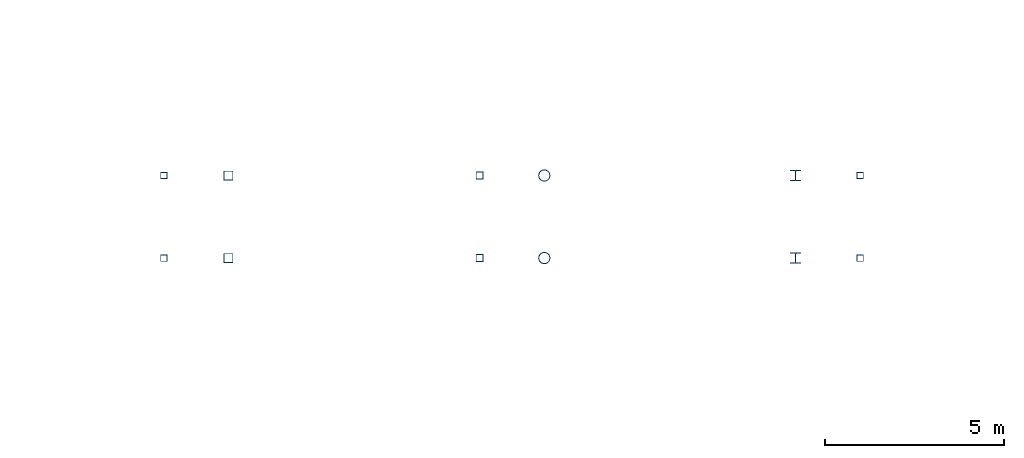
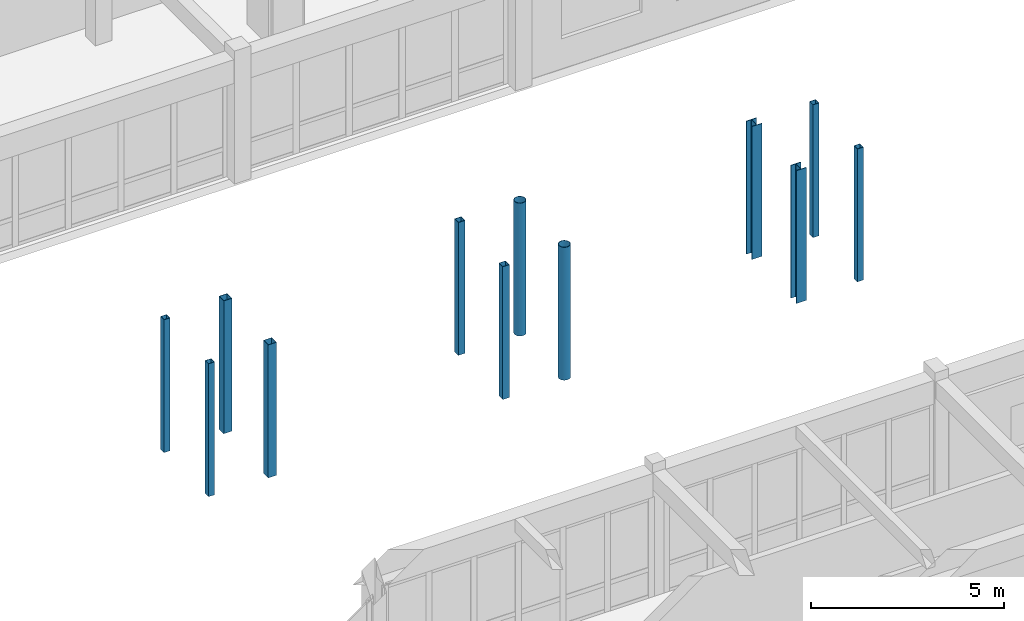
# One storey, part 17 of 89: 12 columns.
"""IFC4 building model written with IfcOpenShell, lengths in metres."""

from ifc_helpers import new_model, si_unit, direction, frame, origin, origin_2d, place, context, subcontext, project, spatial, hollow_rectangle, hollow_circle, i_section, extrude, material, material_profile, profile_set, type_object, element, save


model = new_model("IFC4")

# Units and contexts
model_context = context("Model", 3, precision=1e-05, world=origin(), true_north=direction((0.0, 1.0)))
body_context = subcontext(model_context, "Body", "Model", "MODEL_VIEW")
ifc_project = project(units=[si_unit("LENGTHUNIT", "METRE"), si_unit("AREAUNIT", "SQUARE_METRE"), si_unit("VOLUMEUNIT", "CUBIC_METRE"), si_unit("PLANEANGLEUNIT", "RADIAN"), si_unit("MASSUNIT", "GRAM", prefix="KILO")], contexts=[model_context])

# Site, building, storey
site_placement = place(None, origin())
site = spatial("IfcSite", under=ifc_project, at=site_placement, CompositionType="ELEMENT")
building_placement = place(site_placement, origin())
building = spatial("IfcBuilding", under=site, at=building_placement, Name="Malvenik Polytechnic", CompositionType="ELEMENT")
storey_placement = place(building_placement, frame((0.0, 0.0, 13.5)))
storey = spatial("IfcBuildingStorey", under=building, at=storey_placement, Name="L03", CompositionType="ELEMENT", Elevation=13.5)

# Columns
ifc_material_1 = material(Name="Steel S355J2H", Category="steel")
ifc_material_profile_1 = material_profile(ifc_material_1, hollow_rectangle(XDim=0.25, YDim=0.25, WallThickness=0.010009765625, at=origin_2d()), Name="SHS 250x250x10.0")
ifc_profile_set_1 = profile_set([ifc_material_profile_1], Name="Steel S355J2H")
column_type_1 = type_object("IfcColumnType", Name="STR-SCOL-SC-01", PredefinedType="COLUMN", material=ifc_profile_set_1)
for number, where, z_axis, x_axis, name in (
    (1, (103.199951171875, 103.14990234375, 0.0), (0.0, 0.0, 1.0), (1.0, 0.0, 0.0), "Bridge-Ramp Support Column SC-01 L03"),
    (2, (103.199951171875, 105.449951171875, 0.0), (0.0, 0.0, 1.0), (1.0, 0.0, 0.0), "Bridge-Ramp Support Column SC-01 L03"),
):
    element("IfcColumn", number, at=place(storey_placement, frame(where, z_axis=z_axis, x_axis=x_axis)), inside=storey, type_object=column_type_1, Name=name, PredefinedType="COLUMN", context=body_context, shape_type="SweptSolid", body=[
        extrude(hollow_rectangle(XDim=0.25, YDim=0.25, WallThickness=0.010009765625, at=origin_2d()), origin(), (0.0, 0.0, 1.0), 4.199951171875),
    ])
ifc_material_profile_2 = material_profile(ifc_material_1, hollow_rectangle(XDim=0.199951171875, YDim=0.199951171875, WallThickness=0.010009765625, at=origin_2d()), Name="SHS 200x200x10.0")
ifc_profile_set_2 = profile_set([ifc_material_profile_2], Name="Steel S355J2H")
column_type_2 = type_object("IfcColumnType", Name="STR-SCOL-SC-02", PredefinedType="COLUMN", material=ifc_profile_set_2)
for number, where, z_axis, x_axis, name in (
    (3, (110.199951171875, 103.14990234375, 0.0), (0.0, 0.0, 1.0), (1.0, 0.0, 0.0), "Bridge-Ramp Support Column SC-02 L03"),
    (4, (110.199951171875, 105.449951171875, 0.0), (0.0, 0.0, 1.0), (1.0, 0.0, 0.0), "Bridge-Ramp Support Column SC-02 L03"),
):
    element("IfcColumn", number, at=place(storey_placement, frame(where, z_axis=z_axis, x_axis=x_axis)), inside=storey, type_object=column_type_2, Name=name, PredefinedType="COLUMN", context=body_context, shape_type="SweptSolid", body=[
        extrude(hollow_rectangle(XDim=0.199951171875, YDim=0.199951171875, WallThickness=0.010009765625, at=origin_2d()), origin(), (0.0, 0.0, 1.0), 4.199951171875),
    ])
ifc_material_profile_3 = material_profile(ifc_material_1, hollow_circle(Radius=0.161865234375, WallThickness=0.012451171875, at=origin_2d()), Name="CHS 323.9x12.5")
ifc_profile_set_3 = profile_set([ifc_material_profile_3], Name="Steel S355J2H")
column_type_3 = type_object("IfcColumnType", Name="STR-SCOL-SC-04", PredefinedType="COLUMN", material=ifc_profile_set_3)
for number, where, z_axis, x_axis, name in (
    (5, (112.0, 103.14990234375, 0.0), (0.0, 0.0, 1.0), (1.0, 0.0, 0.0), "Bridge-Ramp Support Column SC-04 L03"),
    (6, (112.0, 105.449951171875, 0.0), (0.0, 0.0, 1.0), (1.0, 0.0, 0.0), "Bridge-Ramp Support Column SC-04 L03"),
):
    element("IfcColumn", number, at=place(storey_placement, frame(where, z_axis=z_axis, x_axis=x_axis)), inside=storey, type_object=column_type_3, Name=name, PredefinedType="COLUMN", context=body_context, shape_type="SweptSolid", body=[
        extrude(hollow_circle(Radius=0.161865234375, WallThickness=0.012451171875, at=origin_2d()), origin(), (0.0, 0.0, 1.0), 4.199951171875),
    ])
ifc_material_2 = material(Name="Steel S355", Category="steel")
ifc_material_profile_4 = material_profile(ifc_material_2, i_section(OverallWidth=0.300048828125, OverallDepth=0.300048828125, WebThickness=0.010986328125, FlangeThickness=0.01904296875, FilletRadius=0.027099609375, at=origin_2d()), Name="HEB 300")
ifc_profile_set_4 = profile_set([ifc_material_profile_4], Name="Steel S355")
column_type_4 = type_object("IfcColumnType", Name="STR-SCOL-SC-05", PredefinedType="COLUMN", material=ifc_profile_set_4)
for number, where, z_axis, x_axis, name in (
    (7, (119.0, 103.14990234375, 0.0), (0.0, 0.0, 1.0), (1.0, 0.0, 0.0), "Bridge-Ramp Support Column SC-05 L03"),
    (8, (119.0, 105.449951171875, 0.0), (0.0, 0.0, 1.0), (1.0, 0.0, 0.0), "Bridge-Ramp Support Column SC-05 L03"),
):
    element("IfcColumn", number, at=place(storey_placement, frame(where, z_axis=z_axis, x_axis=x_axis)), inside=storey, type_object=column_type_4, Name=name, PredefinedType="COLUMN", context=body_context, shape_type="SweptSolid", body=[
        extrude(i_section(OverallWidth=0.300048828125, OverallDepth=0.300048828125, WebThickness=0.010986328125, FlangeThickness=0.01904296875, FilletRadius=0.027099609375, at=origin_2d()), origin(), (0.0, 0.0, 1.0), 4.199951171875),
    ])
ifc_material_profile_5 = material_profile(ifc_material_1, hollow_rectangle(XDim=0.179931640625, YDim=0.179931640625, WallThickness=0.008056640625, at=origin_2d()), Name="SHS 180x180x8.0")
ifc_profile_set_5 = profile_set([ifc_material_profile_5], Name="Steel S355J2H")
column_type_5 = type_object("IfcColumnType", Name="STR-SCOL-SC-06", PredefinedType="COLUMN", material=ifc_profile_set_5)
for number, where, z_axis, x_axis, name in (
    (9, (101.39990234375, 103.14990234375, 0.0), (0.0, 0.0, 1.0), (1.0, 0.0, 0.0), "Bridge-Ramp Support Column SC-06 L03"),
    (10, (101.39990234375, 105.449951171875, 0.0), (0.0, 0.0, 1.0), (1.0, 0.0, 0.0), "Bridge-Ramp Support Column SC-06 L03"),
    (11, (120.800048828125, 103.14990234375, 0.0), (0.0, 0.0, 1.0), (1.0, 0.0, 0.0), "Bridge-Ramp Support Column SC-06 L03"),
    (12, (120.800048828125, 105.449951171875, 0.0), (0.0, 0.0, 1.0), (1.0, 0.0, 0.0), "Bridge-Ramp Support Column SC-06 L03"),
):
    element("IfcColumn", number, at=place(storey_placement, frame(where, z_axis=z_axis, x_axis=x_axis)), inside=storey, type_object=column_type_5, Name=name, PredefinedType="COLUMN", context=body_context, shape_type="SweptSolid", body=[
        extrude(hollow_rectangle(XDim=0.179931640625, YDim=0.179931640625, WallThickness=0.008056640625, at=origin_2d()), origin(), (0.0, 0.0, 1.0), 4.199951171875),
    ])

save(model, "model.ifc")
